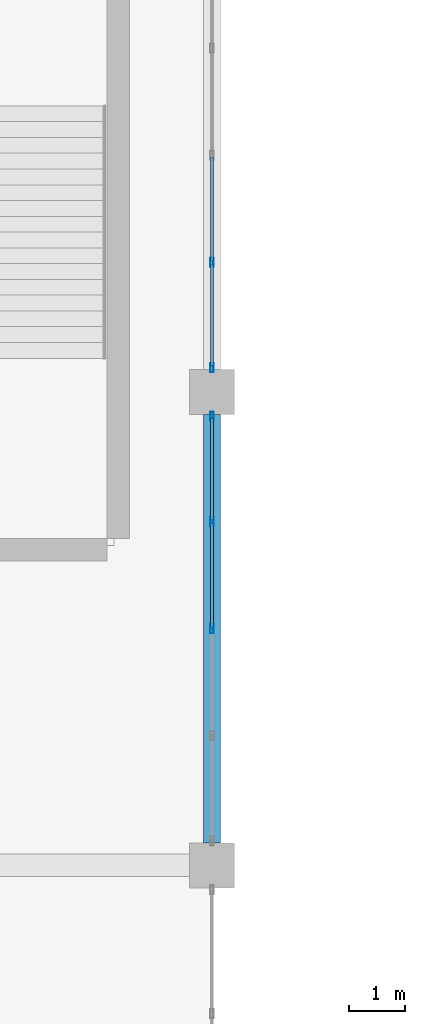
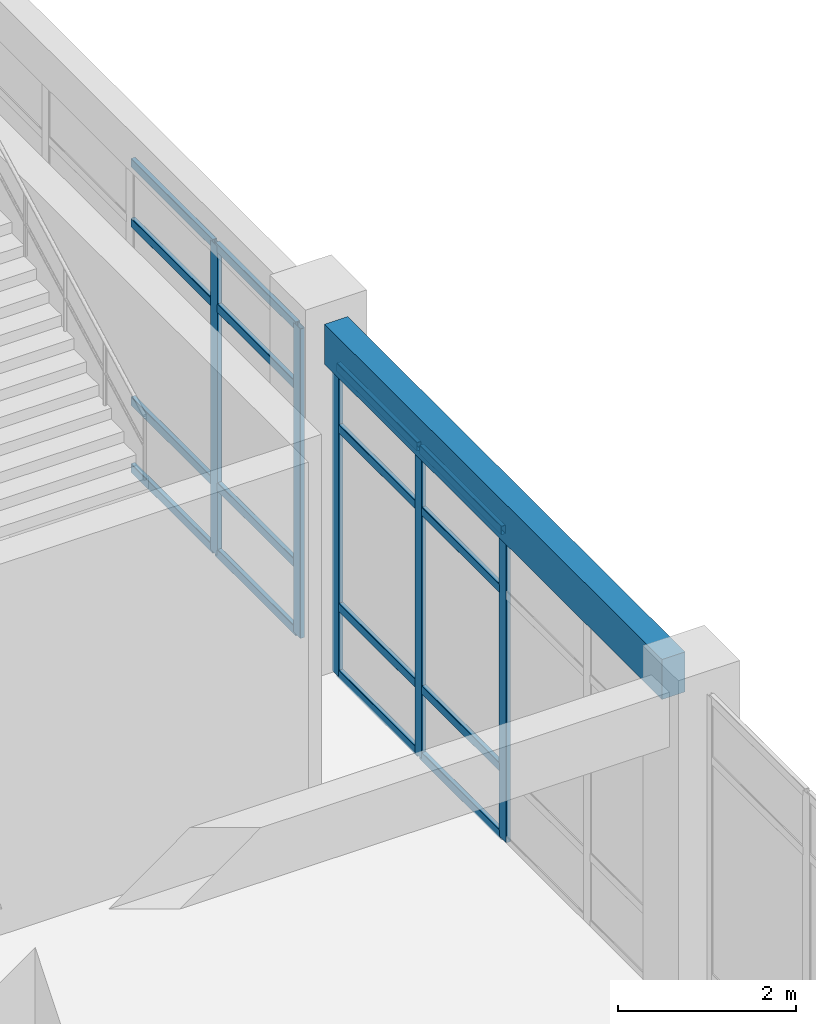
# One storey, part 30 of 124: 21 members, 1 beam, 2 elements without a shape of their own.
"""IFC4 building model written with IfcOpenShell, lengths in metres."""

import ifcopenshell
import ifcopenshell.guid

model = None  # the IFC model being written
_history = None  # IfcOwnerHistory: only IFC2X3 demands one
_inside = {}  # id of a spatial element -> (the spatial element, [elements in it])
_under = {}  # id of a project, library or spatial element -> (it, [spatial elements below it])
_declared = {}  # id of a project -> (the project, [libraries it declares])
_typed = {}  # id of a type object -> (the type object, [elements of that type])
_made_of = {}  # id of a material, layer set ... -> (it, [elements and type objects made of it])


def new_model(schema):
    """Start an empty IFC model of exactly this schema.

    Asked for "IFC4X3", IfcOpenShell would pick the latest addendum, in which some entities
    have other attributes; the version numbers below select the first issue.
    IFC2X3 requires an IfcOwnerHistory on every rooted entity: one is made here for all.
    """
    global model, _history
    if schema == "IFC4X3":
        model = ifcopenshell.file(schema_version=(4, 3, 0, 0))
    else:
        model = ifcopenshell.file(schema=schema)
    _inside.clear()
    _under.clear()
    _declared.clear()
    _typed.clear()
    _made_of.clear()
    _history = None
    if model.schema == "IFC2X3":
        org = make("IfcOrganization", Name="unknown")
        user = make(
            "IfcPersonAndOrganization",
            ThePerson=make("IfcPerson", FamilyName="unknown"),
            TheOrganization=org,
        )
        app = make(
            "IfcApplication",
            ApplicationDeveloper=org,
            Version="unknown",
            ApplicationFullName="unknown",
            ApplicationIdentifier="unknown",
        )
        _history = make(
            "IfcOwnerHistory",
            OwningUser=user,
            OwningApplication=app,
            ChangeAction="ADDED",
            CreationDate=0,
        )
    return model


def make(cls, **values):
    """One entity of the class cls with the attributes given. An attribute that is None is left unset."""
    return model.create_entity(
        cls, **{name: value for name, value in values.items() if value is not None}
    )


def rooted(cls, **values):
    """An entity with a GlobalId (a new one), such as an element, a storey or a relation."""
    return make(cls, GlobalId=ifcopenshell.guid.new(), OwnerHistory=_history, **values)


def si_unit(unit_type, name, prefix=None):
    """IfcSIUnit, for example si_unit("LENGTHUNIT", "METRE", prefix="MILLI")."""
    return make("IfcSIUnit", UnitType=unit_type, Prefix=prefix, Name=name)


def derived_unit(unit_type, elements):
    """IfcDerivedUnit: a product of units, each with its exponent."""
    return make(
        "IfcDerivedUnit",
        Elements=[
            make("IfcDerivedUnitElement", Unit=unit, Exponent=power)
            for unit, power in elements
        ],
        UnitType=unit_type,
    )


def assignment(units):
    """IfcUnitAssignment: the units of a project."""
    return None if units is None else make("IfcUnitAssignment", Units=units)


def point(xyz):
    """IfcCartesianPoint."""
    return None if xyz is None else make("IfcCartesianPoint", Coordinates=xyz)


def direction(xyz):
    """IfcDirection."""
    return None if xyz is None else make("IfcDirection", DirectionRatios=xyz)


def frame(location, z_axis=None, x_axis=None):
    """IfcAxis2Placement3D, a coordinate frame: its origin and axes. An axis left out is left unset."""
    return make(
        "IfcAxis2Placement3D",
        Location=point(location),
        Axis=direction(z_axis),
        RefDirection=direction(x_axis),
    )


def frame_2d(location, x_axis=None):
    """IfcAxis2Placement2D, a coordinate frame in the plane: its origin and x axis."""
    return make(
        "IfcAxis2Placement2D", Location=point(location), RefDirection=direction(x_axis)
    )


def origin():
    """The frame at (0, 0, 0) with its axes left unset."""
    return frame((0.0, 0.0, 0.0))


def origin_2d():
    """The frame at (0, 0) in the plane with its x axis left unset."""
    return frame_2d((0.0, 0.0))


def place(relative_to, where):
    """IfcLocalPlacement: puts the frame where relative to a parent placement (None: the world)."""
    return make(
        "IfcLocalPlacement", PlacementRelTo=relative_to, RelativePlacement=where
    )


def context(
    kind, dimensions, precision=None, world=None, true_north=None, identifier=None
):
    """IfcGeometricRepresentationContext, for example the 3D "Model" context."""
    return make(
        "IfcGeometricRepresentationContext",
        ContextIdentifier=identifier,
        ContextType=kind,
        CoordinateSpaceDimension=dimensions,
        Precision=precision,
        WorldCoordinateSystem=world,
        TrueNorth=true_north,
    )


def subcontext(parent, identifier, kind, view, scale=None):
    """IfcGeometricRepresentationSubContext, for example "Body" below "Model"."""
    return make(
        "IfcGeometricRepresentationSubContext",
        ContextIdentifier=identifier,
        ContextType=kind,
        ParentContext=parent,
        TargetScale=scale,
        TargetView=view,
    )


def project(units=None, contexts=None):
    """IfcProject with its units and contexts."""
    return rooted(
        "IfcProject",
        Name="project",
        RepresentationContexts=contexts,
        UnitsInContext=assignment(units),
    )


def spatial(cls, under=None, at=None, **own):
    """A site, building, storey or space (cls), placed at a placement, below another one or the project."""
    s = rooted(cls, ObjectPlacement=at, **own)
    if under is not None:
        _under.setdefault(under.id(), (under, []))[1].append(s)
    return s


def profile(cls, at=None, kind="AREA", **sizes):
    """A parametric profile (cls). Its sizes go by their IFC names, for example OverallWidth=200.0."""
    return make(cls, ProfileType=kind, Position=at, **sizes)


def rectangle(**sizes):
    """IfcRectangleProfileDef."""
    return profile("IfcRectangleProfileDef", **sizes)


def hollow_rectangle(**sizes):
    """IfcRectangleHollowProfileDef."""
    return profile("IfcRectangleHollowProfileDef", **sizes)


def extrude(swept, where, along, depth):
    """IfcExtrudedAreaSolid: the profile swept, set in the frame where, extruded along a direction by depth."""
    return make(
        "IfcExtrudedAreaSolid",
        SweptArea=swept,
        Position=where,
        ExtrudedDirection=direction(along),
        Depth=depth,
    )


def shape(context_of_items, identifier, shape_type, items):
    """IfcShapeRepresentation: the items that make up one representation, for example the "Body"."""
    return make(
        "IfcShapeRepresentation",
        ContextOfItems=context_of_items,
        RepresentationIdentifier=identifier,
        RepresentationType=shape_type,
        Items=items,
    )


def material(Name=None, Category=None):
    """IfcMaterial."""
    return make("IfcMaterial", Name=Name, Category=Category)


def layer(
    of_material, thickness, ventilated=None, Name=None, Category=None, Priority=None
):
    """IfcMaterialLayer: one layer of a wall or slab, of a material (None: an air gap)."""
    return make(
        "IfcMaterialLayer",
        Material=of_material,
        LayerThickness=thickness,
        IsVentilated=ventilated,
        Name=Name,
        Category=Category,
        Priority=Priority,
    )


def layer_set(layers, Name=None):
    """IfcMaterialLayerSet."""
    return make("IfcMaterialLayerSet", MaterialLayers=layers, LayerSetName=Name)


def material_profile(
    of_material, cross_section, Name=None, Category=None, Priority=None
):
    """IfcMaterialProfile: a cross section and its material."""
    return make(
        "IfcMaterialProfile",
        Name=Name,
        Material=of_material,
        Profile=cross_section,
        Priority=Priority,
        Category=Category,
    )


def profile_set(profiles, Name=None, composite=None):
    """IfcMaterialProfileSet."""
    return make(
        "IfcMaterialProfileSet",
        Name=Name,
        MaterialProfiles=profiles,
        CompositeProfile=composite,
    )


def made_of(thing, what):
    """Note that an element or type object is made of a material, layer set ...; save() writes the relation."""
    if what is not None:
        _made_of.setdefault(what.id(), (what, []))[1].append(thing)
    return thing


def type_object(cls, material=None, **own):
    """A type object (cls), such as IfcWallType, which elements share."""
    return made_of(rooted(cls, **own), material)


def element(
    cls,
    number,
    at=None,
    inside=None,
    cuts=None,
    type_object=None,
    material=None,
    context=None,
    identifier="Body",
    shape_type=None,
    held_by="IfcProductDefinitionShape",
    body=None,
    shapes=None,
    **own,
):
    """One element of the class cls, such as IfcWall. Its Tag is "e" and its number.

    at: its placement. inside: the storey or other place that contains it. cuts: it is an
    opening in that element (IfcRelVoidsElement). A single representation is given by context,
    identifier, shape_type and body (its items); several are given by shapes. held_by: the class
    of the entity that holds the representations. save() writes the other relations.
    """
    e = rooted(cls, Tag="e%d" % number, ObjectPlacement=at, **own)
    if body is not None:
        shapes = [shape(context, identifier, shape_type, body)]
    if shapes is not None:
        e.Representation = make(held_by, Representations=shapes)
    if inside is not None:
        _inside.setdefault(inside.id(), (inside, []))[1].append(e)
    if cuts is not None:
        rooted(
            "IfcRelVoidsElement", RelatingBuildingElement=cuts, RelatedOpeningElement=e
        )
    if type_object is not None:
        _typed.setdefault(type_object.id(), (type_object, []))[1].append(e)
    return made_of(e, material)


def aggregate(whole, parts):
    """IfcRelAggregates: a whole, such as a stair, and the parts it consists of."""
    return rooted("IfcRelAggregates", RelatingObject=whole, RelatedObjects=parts)


def save(model, path):
    """Write the relations noted so far, then the file.

    IfcRelAggregates (storeys below a building ...), IfcRelContainedInSpatialStructure (elements
    in a storey), IfcRelDefinesByType, IfcRelAssociatesMaterial and IfcRelDeclares: one each for
    every whole, place, type object, material and project.
    """
    for whole, parts in _under.values():
        aggregate(whole, parts)
    for where, things in _inside.values():
        rooted(
            "IfcRelContainedInSpatialStructure",
            RelatedElements=things,
            RelatingStructure=where,
        )
    for kind, things in _typed.values():
        rooted("IfcRelDefinesByType", RelatedObjects=things, RelatingType=kind)
    for what, things in _made_of.values():
        rooted("IfcRelAssociatesMaterial", RelatedObjects=things, RelatingMaterial=what)
    for by, libraries in _declared.values():
        rooted("IfcRelDeclares", RelatingContext=by, RelatedDefinitions=libraries)
    model.write(path)


model = new_model("IFC4")

# Units and contexts
model_context = context("Model", 3, precision=1e-05, world=origin(), true_north=direction((0.0, 1.0)))
body_context = subcontext(model_context, "Body", "Model", "MODEL_VIEW")
ifc_project = project(units=[si_unit("LENGTHUNIT", "METRE"), si_unit("AREAUNIT", "SQUARE_METRE"), si_unit("VOLUMEUNIT", "CUBIC_METRE"), si_unit("PLANEANGLEUNIT", "RADIAN"), si_unit("MASSUNIT", "GRAM", prefix="KILO"), derived_unit("THERMALTRANSMITTANCEUNIT", [(si_unit("MASSUNIT", "GRAM", prefix="KILO"), 1), (si_unit("TIMEUNIT", "SECOND"), -3), (si_unit("THERMODYNAMICTEMPERATUREUNIT", "KELVIN"), -1)])], contexts=[model_context])

# Site, building, storey
site_placement = place(None, origin())
site = spatial("IfcSite", under=ifc_project, at=site_placement, CompositionType="ELEMENT")
building_placement = place(site_placement, origin())
building = spatial("IfcBuilding", under=site, at=building_placement, Name="Qinzheling Arcade Emporium", CompositionType="ELEMENT")
storey_placement = place(building_placement, frame((0.0, 0.0, 16.5)))
storey = spatial("IfcBuildingStorey", under=building, at=storey_placement, Name="L04", CompositionType="ELEMENT", Elevation=16.5)

# Curtain wall, members
ifc_material_1 = material(Name="Anodised aluminium and solar-control double glazing", Category="aluminium")
ifc_layer = layer(ifc_material_1, 0.159912109375, Name="Anodised aluminium and solar-control double glazing", Category="aluminium")
ifc_layer_set = layer_set([ifc_layer], Name="Anodised aluminium and solar-control double glazing")
curtain_wall_type = type_object("IfcCurtainWallType", Name="Arcade Portal Glazed Curtain Wall", PredefinedType="NOTDEFINED", material=ifc_layer_set)
curtain_wall_1_placement = place(storey_placement, origin())
curtain_wall_1 = element("IfcCurtainWall", 1, at=curtain_wall_1_placement, inside=storey, type_object=curtain_wall_type, Name="Curtain Wall CW-L04-257", PredefinedType="NOTDEFINED")
ifc_material_2 = material(Name="Anodised aluminium 6063-T6", Category="aluminium")
ifc_material_profile_1 = material_profile(ifc_material_2, hollow_rectangle(XDim=0.06005859375, YDim=0.159912109375, WallThickness=0.00390625, InnerFilletRadius=0.00390625, OuterFilletRadius=0.008056640625, at=origin_2d()), Name="RHS 160x60x4", Category="aluminium")
ifc_profile_set_1 = profile_set([ifc_material_profile_1], Name="Anodised aluminium 6063-T6")
member_type_1 = type_object("IfcMemberType", Name="Curtain Wall Mullion RHS160x60", PredefinedType="MULLION", material=ifc_profile_set_1)
member_1_placement = place(storey_placement, frame((69.60009765625, 27.5009765625, 0.0), z_axis=(0.0, 0.0, 1.0), x_axis=(1.0, 0.0, 0.0)))
member_1 = element("IfcMember", 2, at=member_1_placement, type_object=member_type_1, Name="CW05 mullion 4", PredefinedType="MULLION", context=body_context, shape_type="SweptSolid", body=[
    extrude(hollow_rectangle(XDim=0.06005859375, YDim=0.159912109375, WallThickness=0.00390625, InnerFilletRadius=0.00390625, OuterFilletRadius=0.008056640625, at=origin_2d()), origin(), (0.0, 0.0, 1.0), 4.2548828125),
])
member_2_placement = place(storey_placement, frame((69.60009765625, 25.632080078125, 0.0), z_axis=(0.0, 0.0, 1.0), x_axis=(1.0, 0.0, 0.0)))
member_2 = element("IfcMember", 3, at=member_2_placement, type_object=member_type_1, Name="CW05 mullion 5", PredefinedType="MULLION", context=body_context, shape_type="SweptSolid", body=[
    extrude(hollow_rectangle(XDim=0.06005859375, YDim=0.159912109375, WallThickness=0.00390625, InnerFilletRadius=0.00390625, OuterFilletRadius=0.008056640625, at=origin_2d()), origin(), (0.0, 0.0, 1.0), 4.2548828125),
])

curtain_wall_2_placement = place(storey_placement, origin())
curtain_wall_2 = element("IfcCurtainWall", 4, at=curtain_wall_2_placement, inside=storey, type_object=curtain_wall_type, Name="Curtain Wall CW-L04-258", PredefinedType="NOTDEFINED")
member_3_placement = place(storey_placement, frame((69.60009765625, 24.76806640625, 0.0), z_axis=(0.0, 0.0, 1.0), x_axis=(1.0, 0.0, 0.0)))
member_3 = element("IfcMember", 5, at=member_3_placement, type_object=member_type_1, Name="CW05 mullion 1", PredefinedType="MULLION", context=body_context, shape_type="SweptSolid", body=[
    extrude(hollow_rectangle(XDim=0.06005859375, YDim=0.159912109375, WallThickness=0.00390625, InnerFilletRadius=0.00390625, OuterFilletRadius=0.008056640625, at=origin_2d()), origin(), (0.0, 0.0, 1.0), 4.2548828125),
])
member_4_placement = place(storey_placement, frame((69.60009765625, 22.89892578125, 0.0), z_axis=(0.0, 0.0, 1.0), x_axis=(1.0, 0.0, 0.0)))
member_4 = element("IfcMember", 6, at=member_4_placement, type_object=member_type_1, Name="CW05 mullion 2", PredefinedType="MULLION", context=body_context, shape_type="SweptSolid", body=[
    extrude(hollow_rectangle(XDim=0.06005859375, YDim=0.159912109375, WallThickness=0.00390625, InnerFilletRadius=0.00390625, OuterFilletRadius=0.008056640625, at=origin_2d()), origin(), (0.0, 0.0, 1.0), 4.2548828125),
])
member_5_placement = place(storey_placement, frame((69.60009765625, 21.0, 0.0), z_axis=(0.0, 0.0, 1.0), x_axis=(1.0, 0.0, 0.0)))
member_5 = element("IfcMember", 7, at=member_5_placement, type_object=member_type_1, Name="CW05 mullion 3", PredefinedType="MULLION", context=body_context, shape_type="SweptSolid", body=[
    extrude(hollow_rectangle(XDim=0.06005859375, YDim=0.159912109375, WallThickness=0.00390625, InnerFilletRadius=0.00390625, OuterFilletRadius=0.008056640625, at=origin_2d()), origin(), (0.0, 0.0, 1.0), 4.2548828125),
])

# Member
ifc_material_profile_2 = material_profile(ifc_material_2, hollow_rectangle(XDim=0.06005859375, YDim=0.1201171875, WallThickness=0.00390625, InnerFilletRadius=0.00390625, OuterFilletRadius=0.008056640625, at=origin_2d()), Name="RHS 120x60x4", Category="aluminium")
ifc_profile_set_2 = profile_set([ifc_material_profile_2], Name="Anodised aluminium 6063-T6")
member_type_2 = type_object("IfcMemberType", Name="Curtain Wall Transom RHS120x60", PredefinedType="USERDEFINED", material=ifc_profile_set_2)
member_6_placement = place(storey_placement, frame((69.60009765625, 29.3701171875, 0.030029296875), z_axis=(0.0, -1.0, 0.0), x_axis=(1.0, 0.0, 0.0)))
member_6 = element("IfcMember", 8, at=member_6_placement, type_object=member_type_2, Name="CW05 transom 3.1", ObjectType="TRANSOM", PredefinedType="USERDEFINED", context=body_context, shape_type="SweptSolid", body=[
    extrude(hollow_rectangle(XDim=0.06005859375, YDim=0.1201171875, WallThickness=0.00390625, InnerFilletRadius=0.00390625, OuterFilletRadius=0.008056640625, at=origin_2d()), origin(), (0.0, 0.0, 1.0), 1.839111328125),
])

member_7_placement = place(storey_placement, frame((69.60009765625, 29.3701171875, 0.949951171875), z_axis=(0.0, -1.0, 0.0), x_axis=(1.0, 0.0, 0.0)))
member_7 = element("IfcMember", 9, at=member_7_placement, type_object=member_type_2, Name="CW05 transom 3.2", ObjectType="TRANSOM", PredefinedType="USERDEFINED", context=body_context, shape_type="SweptSolid", body=[
    extrude(hollow_rectangle(XDim=0.06005859375, YDim=0.1201171875, WallThickness=0.00390625, InnerFilletRadius=0.00390625, OuterFilletRadius=0.008056640625, at=origin_2d()), origin(), (0.0, 0.0, 1.0), 1.839111328125),
])

member_8_placement = place(storey_placement, frame((69.60009765625, 29.3701171875, 3.405029296875), z_axis=(0.0, -1.0, 0.0), x_axis=(1.0, 0.0, 0.0)))
member_8 = element("IfcMember", 10, at=member_8_placement, type_object=member_type_2, Name="CW05 transom 3.3", ObjectType="TRANSOM", PredefinedType="USERDEFINED", context=body_context, shape_type="SweptSolid", body=[
    extrude(hollow_rectangle(XDim=0.06005859375, YDim=0.1201171875, WallThickness=0.00390625, InnerFilletRadius=0.00390625, OuterFilletRadius=0.008056640625, at=origin_2d()), origin(), (0.0, 0.0, 1.0), 1.839111328125),
])

member_9_placement = place(storey_placement, frame((69.60009765625, 29.3701171875, 4.22509765625), z_axis=(0.0, -1.0, 0.0), x_axis=(1.0, 0.0, 0.0)))
member_9 = element("IfcMember", 11, at=member_9_placement, type_object=member_type_2, Name="CW05 transom 3.4", ObjectType="TRANSOM", PredefinedType="USERDEFINED", context=body_context, shape_type="SweptSolid", body=[
    extrude(hollow_rectangle(XDim=0.06005859375, YDim=0.1201171875, WallThickness=0.00390625, InnerFilletRadius=0.00390625, OuterFilletRadius=0.008056640625, at=origin_2d()), origin(), (0.0, 0.0, 1.0), 1.839111328125),
])

member_10_placement = place(storey_placement, frame((69.60009765625, 27.470947265625, 0.030029296875), z_axis=(0.0, -1.0, 0.0), x_axis=(1.0, 0.0, 0.0)))
member_10 = element("IfcMember", 12, at=member_10_placement, type_object=member_type_2, Name="CW05 transom 4.1", ObjectType="TRANSOM", PredefinedType="USERDEFINED", context=body_context, shape_type="SweptSolid", body=[
    extrude(hollow_rectangle(XDim=0.06005859375, YDim=0.1201171875, WallThickness=0.00390625, InnerFilletRadius=0.00390625, OuterFilletRadius=0.008056640625, at=origin_2d()), origin(), (0.0, 0.0, 1.0), 1.808837890625),
])

member_11_placement = place(storey_placement, frame((69.60009765625, 27.470947265625, 0.949951171875), z_axis=(0.0, -1.0, 0.0), x_axis=(1.0, 0.0, 0.0)))
member_11 = element("IfcMember", 13, at=member_11_placement, type_object=member_type_2, Name="CW05 transom 4.2", ObjectType="TRANSOM", PredefinedType="USERDEFINED", context=body_context, shape_type="SweptSolid", body=[
    extrude(hollow_rectangle(XDim=0.06005859375, YDim=0.1201171875, WallThickness=0.00390625, InnerFilletRadius=0.00390625, OuterFilletRadius=0.008056640625, at=origin_2d()), origin(), (0.0, 0.0, 1.0), 1.808837890625),
])

member_12_placement = place(storey_placement, frame((69.60009765625, 27.470947265625, 3.405029296875), z_axis=(0.0, -1.0, 0.0), x_axis=(1.0, 0.0, 0.0)))
member_12 = element("IfcMember", 14, at=member_12_placement, type_object=member_type_2, Name="CW05 transom 4.3", ObjectType="TRANSOM", PredefinedType="USERDEFINED", context=body_context, shape_type="SweptSolid", body=[
    extrude(hollow_rectangle(XDim=0.06005859375, YDim=0.1201171875, WallThickness=0.00390625, InnerFilletRadius=0.00390625, OuterFilletRadius=0.008056640625, at=origin_2d()), origin(), (0.0, 0.0, 1.0), 1.808837890625),
])

member_13_placement = place(storey_placement, frame((69.60009765625, 27.470947265625, 4.22509765625), z_axis=(0.0, -1.0, 0.0), x_axis=(1.0, 0.0, 0.0)))
member_13 = element("IfcMember", 15, at=member_13_placement, type_object=member_type_2, Name="CW05 transom 4.4", ObjectType="TRANSOM", PredefinedType="USERDEFINED", context=body_context, shape_type="SweptSolid", body=[
    extrude(hollow_rectangle(XDim=0.06005859375, YDim=0.1201171875, WallThickness=0.00390625, InnerFilletRadius=0.00390625, OuterFilletRadius=0.008056640625, at=origin_2d()), origin(), (0.0, 0.0, 1.0), 1.808837890625),
])

aggregate(curtain_wall_1, [member_1, member_2, member_6, member_7, member_8, member_9, member_10, member_11, member_12, member_13])

member_14_placement = place(storey_placement, frame((69.60009765625, 24.738037109375, 0.030029296875), z_axis=(0.0, -1.0, 0.0), x_axis=(1.0, 0.0, 0.0)))
member_14 = element("IfcMember", 16, at=member_14_placement, type_object=member_type_2, Name="CW05 transom 1.1", ObjectType="TRANSOM", PredefinedType="USERDEFINED", context=body_context, shape_type="SweptSolid", body=[
    extrude(hollow_rectangle(XDim=0.06005859375, YDim=0.1201171875, WallThickness=0.00390625, InnerFilletRadius=0.00390625, OuterFilletRadius=0.008056640625, at=origin_2d()), origin(), (0.0, 0.0, 1.0), 1.80908203125),
])

member_15_placement = place(storey_placement, frame((69.60009765625, 24.738037109375, 0.949951171875), z_axis=(0.0, -1.0, 0.0), x_axis=(1.0, 0.0, 0.0)))
member_15 = element("IfcMember", 17, at=member_15_placement, type_object=member_type_2, Name="CW05 transom 1.2", ObjectType="TRANSOM", PredefinedType="USERDEFINED", context=body_context, shape_type="SweptSolid", body=[
    extrude(hollow_rectangle(XDim=0.06005859375, YDim=0.1201171875, WallThickness=0.00390625, InnerFilletRadius=0.00390625, OuterFilletRadius=0.008056640625, at=origin_2d()), origin(), (0.0, 0.0, 1.0), 1.80908203125),
])

member_16_placement = place(storey_placement, frame((69.60009765625, 24.738037109375, 3.405029296875), z_axis=(0.0, -1.0, 0.0), x_axis=(1.0, 0.0, 0.0)))
member_16 = element("IfcMember", 18, at=member_16_placement, type_object=member_type_2, Name="CW05 transom 1.3", ObjectType="TRANSOM", PredefinedType="USERDEFINED", context=body_context, shape_type="SweptSolid", body=[
    extrude(hollow_rectangle(XDim=0.06005859375, YDim=0.1201171875, WallThickness=0.00390625, InnerFilletRadius=0.00390625, OuterFilletRadius=0.008056640625, at=origin_2d()), origin(), (0.0, 0.0, 1.0), 1.80908203125),
])

member_17_placement = place(storey_placement, frame((69.60009765625, 24.738037109375, 4.22509765625), z_axis=(0.0, -1.0, 0.0), x_axis=(1.0, 0.0, 0.0)))
member_17 = element("IfcMember", 19, at=member_17_placement, type_object=member_type_2, Name="CW05 transom 1.4", ObjectType="TRANSOM", PredefinedType="USERDEFINED", context=body_context, shape_type="SweptSolid", body=[
    extrude(hollow_rectangle(XDim=0.06005859375, YDim=0.1201171875, WallThickness=0.00390625, InnerFilletRadius=0.00390625, OuterFilletRadius=0.008056640625, at=origin_2d()), origin(), (0.0, 0.0, 1.0), 1.80908203125),
])

member_18_placement = place(storey_placement, frame((69.60009765625, 22.868896484375, 0.030029296875), z_axis=(0.0, -1.0, 0.0), x_axis=(1.0, 0.0, 0.0)))
member_18 = element("IfcMember", 20, at=member_18_placement, type_object=member_type_2, Name="CW05 transom 2.1", ObjectType="TRANSOM", PredefinedType="USERDEFINED", context=body_context, shape_type="SweptSolid", body=[
    extrude(hollow_rectangle(XDim=0.06005859375, YDim=0.1201171875, WallThickness=0.00390625, InnerFilletRadius=0.00390625, OuterFilletRadius=0.008056640625, at=origin_2d()), origin(), (0.0, 0.0, 1.0), 1.8388671875),
])

member_19_placement = place(storey_placement, frame((69.60009765625, 22.868896484375, 0.949951171875), z_axis=(0.0, -1.0, 0.0), x_axis=(1.0, 0.0, 0.0)))
member_19 = element("IfcMember", 21, at=member_19_placement, type_object=member_type_2, Name="CW05 transom 2.2", ObjectType="TRANSOM", PredefinedType="USERDEFINED", context=body_context, shape_type="SweptSolid", body=[
    extrude(hollow_rectangle(XDim=0.06005859375, YDim=0.1201171875, WallThickness=0.00390625, InnerFilletRadius=0.00390625, OuterFilletRadius=0.008056640625, at=origin_2d()), origin(), (0.0, 0.0, 1.0), 1.8388671875),
])

member_20_placement = place(storey_placement, frame((69.60009765625, 22.868896484375, 3.405029296875), z_axis=(0.0, -1.0, 0.0), x_axis=(1.0, 0.0, 0.0)))
member_20 = element("IfcMember", 22, at=member_20_placement, type_object=member_type_2, Name="CW05 transom 2.3", ObjectType="TRANSOM", PredefinedType="USERDEFINED", context=body_context, shape_type="SweptSolid", body=[
    extrude(hollow_rectangle(XDim=0.06005859375, YDim=0.1201171875, WallThickness=0.00390625, InnerFilletRadius=0.00390625, OuterFilletRadius=0.008056640625, at=origin_2d()), origin(), (0.0, 0.0, 1.0), 1.8388671875),
])

member_21_placement = place(storey_placement, frame((69.60009765625, 22.868896484375, 4.22509765625), z_axis=(0.0, -1.0, 0.0), x_axis=(1.0, 0.0, 0.0)))
member_21 = element("IfcMember", 23, at=member_21_placement, type_object=member_type_2, Name="CW05 transom 2.4", ObjectType="TRANSOM", PredefinedType="USERDEFINED", context=body_context, shape_type="SweptSolid", body=[
    extrude(hollow_rectangle(XDim=0.06005859375, YDim=0.1201171875, WallThickness=0.00390625, InnerFilletRadius=0.00390625, OuterFilletRadius=0.008056640625, at=origin_2d()), origin(), (0.0, 0.0, 1.0), 1.8388671875),
])

aggregate(curtain_wall_2, [member_3, member_4, member_5, member_14, member_15, member_16, member_17, member_18, member_19, member_20, member_21])

# Beam
ifc_material_3 = material(Name="Concrete C40", Category="concrete")
ifc_material_profile_3 = material_profile(ifc_material_3, rectangle(XDim=0.300048828125, YDim=0.550048828125, at=origin_2d()), Name="RC 300x550", Category="concrete")
ifc_profile_set_3 = profile_set([ifc_material_profile_3], Name="Concrete C40")
beam_type = type_object("IfcBeamType", Name="RC Terrace Spandrel Beam 300x550 C40", PredefinedType="SPANDREL", material=ifc_profile_set_3)
beam_placement = place(storey_placement, frame((69.60009765625, 17.199951171875, 4.544921875), z_axis=(0.0, 1.0, 0.0), x_axis=(-1.0, 0.0, 0.0)))
element("IfcBeam", 24, at=beam_placement, inside=storey, type_object=beam_type, Name="Beam BM-L04-Y-9-C", PredefinedType="SPANDREL", context=body_context, shape_type="SweptSolid", body=[
    extrude(rectangle(XDim=0.300048828125, YDim=0.550048828125, at=origin_2d()), origin(), (0.0, 0.0, 1.0), 7.60009765625),
])

save(model, "model.ifc")
